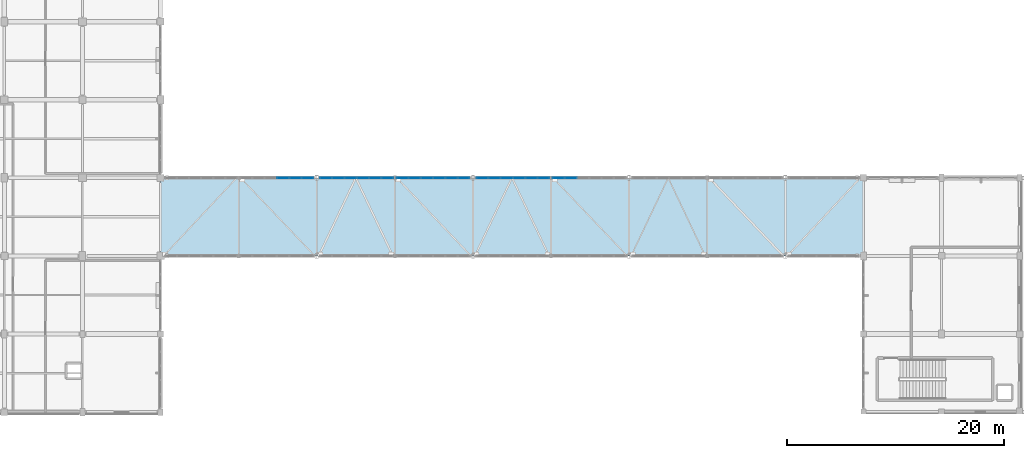
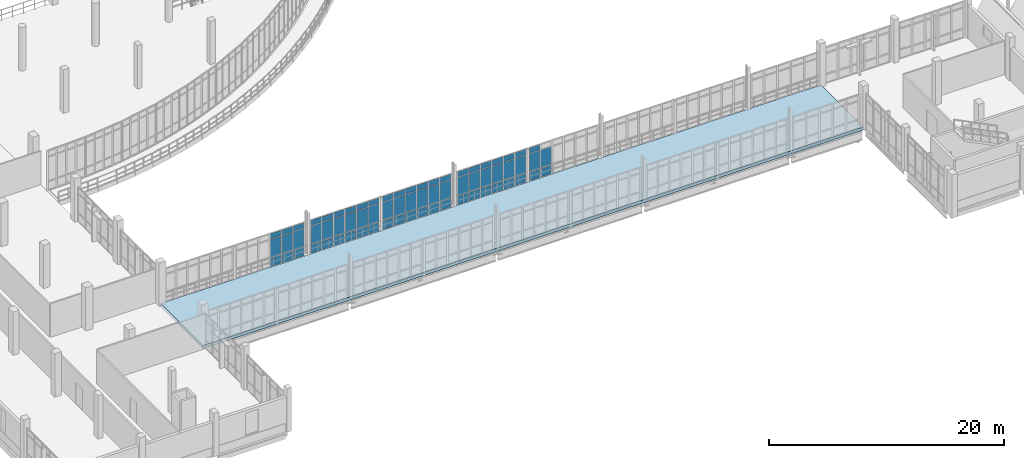
# One storey, part 90 of 124: 68 plates, 1 slab, 5 elements without a shape of their own.
"""IFC4 building model written with IfcOpenShell, lengths in metres."""

from ifc_helpers import new_model, si_unit, direction, frame, origin, origin_2d, place, context, subcontext, project, spatial, polyline, rectangle, outline, extrude, material, layer, layer_set, type_object, element, aggregate, save


model = new_model("IFC4")

# Units and contexts
model_context = context("Model", 3, precision=1e-05, world=origin(), true_north=direction((0.0, 1.0)))
body_context = subcontext(model_context, "Body", "Model", "MODEL_VIEW")
ifc_project = project(units=[si_unit("LENGTHUNIT", "METRE"), si_unit("AREAUNIT", "SQUARE_METRE"), si_unit("VOLUMEUNIT", "CUBIC_METRE"), si_unit("PLANEANGLEUNIT", "RADIAN"), si_unit("MASSUNIT", "GRAM", prefix="KILO")], contexts=[model_context])

# Site, building, storey
site_placement = place(None, origin())
site = spatial("IfcSite", under=ifc_project, at=site_placement, CompositionType="ELEMENT")
building_placement = place(site_placement, origin())
building = spatial("IfcBuilding", under=site, at=building_placement, Name="Kalluvel Institute of Natural Sciences", CompositionType="ELEMENT")
storey_placement = place(building_placement, frame((0.0, 0.0, 9.89990234375)))
storey = spatial("IfcBuildingStorey", under=building, at=storey_placement, Name="L02", CompositionType="ELEMENT", Elevation=9.89990234375)

# Curtain wall, plates
ifc_material_1 = material(Name="Aluminium AW-6063 T6", Category="aluminium")
curtain_wall_type = type_object("IfcCurtainWallType", Name="CW-BRG-45", PredefinedType="USERDEFINED", material=ifc_material_1)
curtain_wall_1_placement = place(storey_placement, origin())
curtain_wall_1 = element("IfcCurtainWall", 1, at=curtain_wall_1_placement, inside=storey, type_object=curtain_wall_type, Name="L02 Gothic lancet curtain wall CWA-L02-X429-Y356", ObjectType="UNITISED LANCET FACADE", PredefinedType="USERDEFINED")
ifc_material_2 = material(Name="Solar-Control Low-E Laminated Glass", Category="glass")
ifc_layer_1 = layer(ifc_material_2, 0.031982421875)
ifc_layer_set_1 = layer_set([ifc_layer_1], Name="Solar-Control Low-E Laminated Glass")
plate_type = type_object("IfcPlateType", Name="CWP-DGU-32", PredefinedType="CURTAIN_PANEL", material=ifc_layer_set_1)
plate_1_placement = place(storey_placement, frame((46.885498046875, 35.60009765625, 0.06005859375), z_axis=(0.0, 0.0, 1.0), x_axis=(1.0, 0.0, 0.0)))
plate_1 = element("IfcPlate", 2, at=plate_1_placement, type_object=plate_type, Name="CW-07 panel 4.1", PredefinedType="CURTAIN_PANEL", context=body_context, shape_type="SweptSolid", body=[
    extrude(rectangle(XDim=1.075927734375, YDim=0.031982421875, at=origin_2d()), origin(), (0.0, 0.0, 1.0), 0.860107421875),
])
plate_2_placement = place(storey_placement, frame((46.885498046875, 35.60009765625, 0.980224609375), z_axis=(0.0, 0.0, 1.0), x_axis=(1.0, 0.0, 0.0)))
plate_2 = element("IfcPlate", 3, at=plate_2_placement, type_object=plate_type, Name="CW-07 panel 4.2", PredefinedType="CURTAIN_PANEL", context=body_context, shape_type="SweptSolid", body=[
    extrude(rectangle(XDim=1.075927734375, YDim=0.031982421875, at=origin_2d()), origin(), (0.0, 0.0, 1.0), 1.8798828125),
])
plate_3_placement = place(storey_placement, frame((46.885498046875, 35.60009765625, 2.920166015625), z_axis=(0.0, 0.0, 1.0), x_axis=(1.0, 0.0, 0.0)))
plate_3 = element("IfcPlate", 4, at=plate_3_placement, type_object=plate_type, Name="CW-07 panel 4.3", PredefinedType="CURTAIN_PANEL", context=body_context, shape_type="SweptSolid", body=[
    extrude(rectangle(XDim=1.075927734375, YDim=0.031982421875, at=origin_2d()), origin(), (0.0, 0.0, 1.0), 0.56005859375),
])
plate_4_placement = place(storey_placement, frame((48.021240234375, 35.60009765625, 0.06005859375), z_axis=(0.0, 0.0, 1.0), x_axis=(1.0, 0.0, 0.0)))
plate_4 = element("IfcPlate", 5, at=plate_4_placement, type_object=plate_type, Name="CW-07 panel 5.1", PredefinedType="CURTAIN_PANEL", context=body_context, shape_type="SweptSolid", body=[
    extrude(rectangle(XDim=1.075927734375, YDim=0.031982421875, at=origin_2d()), origin(), (0.0, 0.0, 1.0), 0.860107421875),
])
plate_5_placement = place(storey_placement, frame((48.021240234375, 35.60009765625, 0.980224609375), z_axis=(0.0, 0.0, 1.0), x_axis=(1.0, 0.0, 0.0)))
plate_5 = element("IfcPlate", 6, at=plate_5_placement, type_object=plate_type, Name="CW-07 panel 5.2", PredefinedType="CURTAIN_PANEL", context=body_context, shape_type="SweptSolid", body=[
    extrude(rectangle(XDim=1.075927734375, YDim=0.031982421875, at=origin_2d()), origin(), (0.0, 0.0, 1.0), 1.8798828125),
])
plate_6_placement = place(storey_placement, frame((48.021240234375, 35.60009765625, 2.920166015625), z_axis=(0.0, 0.0, 1.0), x_axis=(1.0, 0.0, 0.0)))
plate_6 = element("IfcPlate", 7, at=plate_6_placement, type_object=plate_type, Name="CW-07 panel 5.3", PredefinedType="CURTAIN_PANEL", context=body_context, shape_type="SweptSolid", body=[
    extrude(rectangle(XDim=1.075927734375, YDim=0.031982421875, at=origin_2d()), origin(), (0.0, 0.0, 1.0), 0.56005859375),
])
plate_7_placement = place(storey_placement, frame((49.14208984375, 35.60009765625, 0.06005859375), z_axis=(0.0, 0.0, 1.0), x_axis=(1.0, 0.0, 0.0)))
plate_7 = element("IfcPlate", 8, at=plate_7_placement, type_object=plate_type, Name="CW-07 panel 6.1", PredefinedType="CURTAIN_PANEL", context=body_context, shape_type="SweptSolid", body=[
    extrude(rectangle(XDim=1.0458984375, YDim=0.031982421875, at=origin_2d()), origin(), (0.0, 0.0, 1.0), 0.860107421875),
])
plate_8_placement = place(storey_placement, frame((49.14208984375, 35.60009765625, 0.980224609375), z_axis=(0.0, 0.0, 1.0), x_axis=(1.0, 0.0, 0.0)))
plate_8 = element("IfcPlate", 9, at=plate_8_placement, type_object=plate_type, Name="CW-07 panel 6.2", PredefinedType="CURTAIN_PANEL", context=body_context, shape_type="SweptSolid", body=[
    extrude(rectangle(XDim=1.0458984375, YDim=0.031982421875, at=origin_2d()), origin(), (0.0, 0.0, 1.0), 1.8798828125),
])
plate_9_placement = place(storey_placement, frame((49.14208984375, 35.60009765625, 2.920166015625), z_axis=(0.0, 0.0, 1.0), x_axis=(1.0, 0.0, 0.0)))
plate_9 = element("IfcPlate", 10, at=plate_9_placement, type_object=plate_type, Name="CW-07 panel 6.3", PredefinedType="CURTAIN_PANEL", context=body_context, shape_type="SweptSolid", body=[
    extrude(rectangle(XDim=1.0458984375, YDim=0.031982421875, at=origin_2d()), origin(), (0.0, 0.0, 1.0), 0.56005859375),
])
aggregate(curtain_wall_1, [plate_1, plate_2, plate_3, plate_4, plate_5, plate_6, plate_7, plate_8, plate_9])

curtain_wall_2_placement = place(storey_placement, origin())
curtain_wall_2 = element("IfcCurtainWall", 11, at=curtain_wall_2_placement, inside=storey, type_object=curtain_wall_type, Name="L02 Gothic lancet curtain wall CWA-L02-X503-Y356", ObjectType="UNITISED LANCET FACADE", PredefinedType="USERDEFINED")
plate_10_placement = place(storey_placement, frame((50.85791015625, 35.60009765625, 0.06005859375), z_axis=(0.0, 0.0, 1.0), x_axis=(1.0, 0.0, 0.0)))
plate_10 = element("IfcPlate", 12, at=plate_10_placement, type_object=plate_type, Name="CW-07 panel 1.1", PredefinedType="CURTAIN_PANEL", context=body_context, shape_type="SweptSolid", body=[
    extrude(rectangle(XDim=1.0458984375, YDim=0.031982421875, at=origin_2d()), origin(), (0.0, 0.0, 1.0), 0.860107421875),
])
plate_11_placement = place(storey_placement, frame((50.85791015625, 35.60009765625, 0.980224609375), z_axis=(0.0, 0.0, 1.0), x_axis=(1.0, 0.0, 0.0)))
plate_11 = element("IfcPlate", 13, at=plate_11_placement, type_object=plate_type, Name="CW-07 panel 1.2", PredefinedType="CURTAIN_PANEL", context=body_context, shape_type="SweptSolid", body=[
    extrude(rectangle(XDim=1.0458984375, YDim=0.031982421875, at=origin_2d()), origin(), (0.0, 0.0, 1.0), 1.8798828125),
])
plate_12_placement = place(storey_placement, frame((50.85791015625, 35.60009765625, 2.920166015625), z_axis=(0.0, 0.0, 1.0), x_axis=(1.0, 0.0, 0.0)))
plate_12 = element("IfcPlate", 14, at=plate_12_placement, type_object=plate_type, Name="CW-07 panel 1.3", PredefinedType="CURTAIN_PANEL", context=body_context, shape_type="SweptSolid", body=[
    extrude(rectangle(XDim=1.0458984375, YDim=0.031982421875, at=origin_2d()), origin(), (0.0, 0.0, 1.0), 0.56005859375),
])
plate_13_placement = place(storey_placement, frame((51.978759765625, 35.60009765625, 0.06005859375), z_axis=(0.0, 0.0, 1.0), x_axis=(1.0, 0.0, 0.0)))
plate_13 = element("IfcPlate", 15, at=plate_13_placement, type_object=plate_type, Name="CW-07 panel 2.1", PredefinedType="CURTAIN_PANEL", context=body_context, shape_type="SweptSolid", body=[
    extrude(rectangle(XDim=1.075927734375, YDim=0.031982421875, at=origin_2d()), origin(), (0.0, 0.0, 1.0), 0.860107421875),
])
plate_14_placement = place(storey_placement, frame((51.978759765625, 35.60009765625, 0.980224609375), z_axis=(0.0, 0.0, 1.0), x_axis=(1.0, 0.0, 0.0)))
plate_14 = element("IfcPlate", 16, at=plate_14_placement, type_object=plate_type, Name="CW-07 panel 2.2", PredefinedType="CURTAIN_PANEL", context=body_context, shape_type="SweptSolid", body=[
    extrude(rectangle(XDim=1.075927734375, YDim=0.031982421875, at=origin_2d()), origin(), (0.0, 0.0, 1.0), 1.8798828125),
])
plate_15_placement = place(storey_placement, frame((51.978759765625, 35.60009765625, 2.920166015625), z_axis=(0.0, 0.0, 1.0), x_axis=(1.0, 0.0, 0.0)))
plate_15 = element("IfcPlate", 17, at=plate_15_placement, type_object=plate_type, Name="CW-07 panel 2.3", PredefinedType="CURTAIN_PANEL", context=body_context, shape_type="SweptSolid", body=[
    extrude(rectangle(XDim=1.075927734375, YDim=0.031982421875, at=origin_2d()), origin(), (0.0, 0.0, 1.0), 0.56005859375),
])
plate_16_placement = place(storey_placement, frame((53.114501953125, 35.60009765625, 0.06005859375), z_axis=(0.0, 0.0, 1.0), x_axis=(1.0, 0.0, 0.0)))
plate_16 = element("IfcPlate", 18, at=plate_16_placement, type_object=plate_type, Name="CW-07 panel 3.1", PredefinedType="CURTAIN_PANEL", context=body_context, shape_type="SweptSolid", body=[
    extrude(rectangle(XDim=1.075927734375, YDim=0.031982421875, at=origin_2d()), origin(), (0.0, 0.0, 1.0), 0.860107421875),
])
plate_17_placement = place(storey_placement, frame((53.114501953125, 35.60009765625, 0.980224609375), z_axis=(0.0, 0.0, 1.0), x_axis=(1.0, 0.0, 0.0)))
plate_17 = element("IfcPlate", 19, at=plate_17_placement, type_object=plate_type, Name="CW-07 panel 3.2", PredefinedType="CURTAIN_PANEL", context=body_context, shape_type="SweptSolid", body=[
    extrude(rectangle(XDim=1.075927734375, YDim=0.031982421875, at=origin_2d()), origin(), (0.0, 0.0, 1.0), 1.8798828125),
])
plate_18_placement = place(storey_placement, frame((53.114501953125, 35.60009765625, 2.920166015625), z_axis=(0.0, 0.0, 1.0), x_axis=(1.0, 0.0, 0.0)))
plate_18 = element("IfcPlate", 20, at=plate_18_placement, type_object=plate_type, Name="CW-07 panel 3.3", PredefinedType="CURTAIN_PANEL", context=body_context, shape_type="SweptSolid", body=[
    extrude(rectangle(XDim=1.075927734375, YDim=0.031982421875, at=origin_2d()), origin(), (0.0, 0.0, 1.0), 0.56005859375),
])
plate_19_placement = place(storey_placement, frame((54.25048828125, 35.60009765625, 0.06005859375), z_axis=(0.0, 0.0, 1.0), x_axis=(1.0, 0.0, 0.0)))
plate_19 = element("IfcPlate", 21, at=plate_19_placement, type_object=plate_type, Name="CW-07 panel 4.1", PredefinedType="CURTAIN_PANEL", context=body_context, shape_type="SweptSolid", body=[
    extrude(rectangle(XDim=1.075927734375, YDim=0.031982421875, at=origin_2d()), origin(), (0.0, 0.0, 1.0), 0.860107421875),
])
plate_20_placement = place(storey_placement, frame((54.25048828125, 35.60009765625, 0.980224609375), z_axis=(0.0, 0.0, 1.0), x_axis=(1.0, 0.0, 0.0)))
plate_20 = element("IfcPlate", 22, at=plate_20_placement, type_object=plate_type, Name="CW-07 panel 4.2", PredefinedType="CURTAIN_PANEL", context=body_context, shape_type="SweptSolid", body=[
    extrude(rectangle(XDim=1.075927734375, YDim=0.031982421875, at=origin_2d()), origin(), (0.0, 0.0, 1.0), 1.8798828125),
])
plate_21_placement = place(storey_placement, frame((54.25048828125, 35.60009765625, 2.920166015625), z_axis=(0.0, 0.0, 1.0), x_axis=(1.0, 0.0, 0.0)))
plate_21 = element("IfcPlate", 23, at=plate_21_placement, type_object=plate_type, Name="CW-07 panel 4.3", PredefinedType="CURTAIN_PANEL", context=body_context, shape_type="SweptSolid", body=[
    extrude(rectangle(XDim=1.075927734375, YDim=0.031982421875, at=origin_2d()), origin(), (0.0, 0.0, 1.0), 0.56005859375),
])
plate_22_placement = place(storey_placement, frame((55.38623046875, 35.60009765625, 0.06005859375), z_axis=(0.0, 0.0, 1.0), x_axis=(1.0, 0.0, 0.0)))
plate_22 = element("IfcPlate", 24, at=plate_22_placement, type_object=plate_type, Name="CW-07 panel 5.1", PredefinedType="CURTAIN_PANEL", context=body_context, shape_type="SweptSolid", body=[
    extrude(rectangle(XDim=1.075927734375, YDim=0.031982421875, at=origin_2d()), origin(), (0.0, 0.0, 1.0), 0.860107421875),
])
plate_23_placement = place(storey_placement, frame((55.38623046875, 35.60009765625, 0.980224609375), z_axis=(0.0, 0.0, 1.0), x_axis=(1.0, 0.0, 0.0)))
plate_23 = element("IfcPlate", 25, at=plate_23_placement, type_object=plate_type, Name="CW-07 panel 5.2", PredefinedType="CURTAIN_PANEL", context=body_context, shape_type="SweptSolid", body=[
    extrude(rectangle(XDim=1.075927734375, YDim=0.031982421875, at=origin_2d()), origin(), (0.0, 0.0, 1.0), 1.8798828125),
])
plate_24_placement = place(storey_placement, frame((55.38623046875, 35.60009765625, 2.920166015625), z_axis=(0.0, 0.0, 1.0), x_axis=(1.0, 0.0, 0.0)))
plate_24 = element("IfcPlate", 26, at=plate_24_placement, type_object=plate_type, Name="CW-07 panel 5.3", PredefinedType="CURTAIN_PANEL", context=body_context, shape_type="SweptSolid", body=[
    extrude(rectangle(XDim=1.075927734375, YDim=0.031982421875, at=origin_2d()), origin(), (0.0, 0.0, 1.0), 0.56005859375),
])
plate_25_placement = place(storey_placement, frame((56.507080078125, 35.60009765625, 0.06005859375), z_axis=(0.0, 0.0, 1.0), x_axis=(1.0, 0.0, 0.0)))
plate_25 = element("IfcPlate", 27, at=plate_25_placement, type_object=plate_type, Name="CW-07 panel 6.1", PredefinedType="CURTAIN_PANEL", context=body_context, shape_type="SweptSolid", body=[
    extrude(rectangle(XDim=1.0458984375, YDim=0.031982421875, at=origin_2d()), origin(), (0.0, 0.0, 1.0), 0.860107421875),
])
plate_26_placement = place(storey_placement, frame((56.507080078125, 35.60009765625, 0.980224609375), z_axis=(0.0, 0.0, 1.0), x_axis=(1.0, 0.0, 0.0)))
plate_26 = element("IfcPlate", 28, at=plate_26_placement, type_object=plate_type, Name="CW-07 panel 6.2", PredefinedType="CURTAIN_PANEL", context=body_context, shape_type="SweptSolid", body=[
    extrude(rectangle(XDim=1.0458984375, YDim=0.031982421875, at=origin_2d()), origin(), (0.0, 0.0, 1.0), 1.8798828125),
])
plate_27_placement = place(storey_placement, frame((56.507080078125, 35.60009765625, 2.920166015625), z_axis=(0.0, 0.0, 1.0), x_axis=(1.0, 0.0, 0.0)))
plate_27 = element("IfcPlate", 29, at=plate_27_placement, type_object=plate_type, Name="CW-07 panel 6.3", PredefinedType="CURTAIN_PANEL", context=body_context, shape_type="SweptSolid", body=[
    extrude(rectangle(XDim=1.0458984375, YDim=0.031982421875, at=origin_2d()), origin(), (0.0, 0.0, 1.0), 0.56005859375),
])
aggregate(curtain_wall_2, [plate_10, plate_11, plate_12, plate_13, plate_14, plate_15, plate_16, plate_17, plate_18, plate_19, plate_20, plate_21, plate_22, plate_23, plate_24, plate_25, plate_26, plate_27])

curtain_wall_3_placement = place(storey_placement, origin())
curtain_wall_3 = element("IfcCurtainWall", 30, at=curtain_wall_3_placement, inside=storey, type_object=curtain_wall_type, Name="L02 Gothic lancet curtain wall CWA-L02-X573-Y356", ObjectType="UNITISED LANCET FACADE", PredefinedType="USERDEFINED")
plate_28_placement = place(storey_placement, frame((57.892822265625, 35.60009765625, 0.06005859375), z_axis=(0.0, 0.0, 1.0), x_axis=(1.0, 0.0, 0.0)))
plate_28 = element("IfcPlate", 31, at=plate_28_placement, type_object=plate_type, Name="CW-07 panel 1.1", PredefinedType="CURTAIN_PANEL", context=body_context, shape_type="SweptSolid", body=[
    extrude(rectangle(XDim=1.0458984375, YDim=0.031982421875, at=origin_2d()), origin(), (0.0, 0.0, 1.0), 0.860107421875),
])
plate_29_placement = place(storey_placement, frame((57.892822265625, 35.60009765625, 0.980224609375), z_axis=(0.0, 0.0, 1.0), x_axis=(1.0, 0.0, 0.0)))
plate_29 = element("IfcPlate", 32, at=plate_29_placement, type_object=plate_type, Name="CW-07 panel 1.2", PredefinedType="CURTAIN_PANEL", context=body_context, shape_type="SweptSolid", body=[
    extrude(rectangle(XDim=1.0458984375, YDim=0.031982421875, at=origin_2d()), origin(), (0.0, 0.0, 1.0), 1.8798828125),
])
plate_30_placement = place(storey_placement, frame((57.892822265625, 35.60009765625, 2.920166015625), z_axis=(0.0, 0.0, 1.0), x_axis=(1.0, 0.0, 0.0)))
plate_30 = element("IfcPlate", 33, at=plate_30_placement, type_object=plate_type, Name="CW-07 panel 1.3", PredefinedType="CURTAIN_PANEL", context=body_context, shape_type="SweptSolid", body=[
    extrude(rectangle(XDim=1.0458984375, YDim=0.031982421875, at=origin_2d()), origin(), (0.0, 0.0, 1.0), 0.56005859375),
])
plate_31_placement = place(storey_placement, frame((59.013671875, 35.60009765625, 0.06005859375), z_axis=(0.0, 0.0, 1.0), x_axis=(1.0, 0.0, 0.0)))
plate_31 = element("IfcPlate", 34, at=plate_31_placement, type_object=plate_type, Name="CW-07 panel 2.1", PredefinedType="CURTAIN_PANEL", context=body_context, shape_type="SweptSolid", body=[
    extrude(rectangle(XDim=1.075927734375, YDim=0.031982421875, at=origin_2d()), origin(), (0.0, 0.0, 1.0), 0.860107421875),
])
plate_32_placement = place(storey_placement, frame((59.013671875, 35.60009765625, 0.980224609375), z_axis=(0.0, 0.0, 1.0), x_axis=(1.0, 0.0, 0.0)))
plate_32 = element("IfcPlate", 35, at=plate_32_placement, type_object=plate_type, Name="CW-07 panel 2.2", PredefinedType="CURTAIN_PANEL", context=body_context, shape_type="SweptSolid", body=[
    extrude(rectangle(XDim=1.075927734375, YDim=0.031982421875, at=origin_2d()), origin(), (0.0, 0.0, 1.0), 1.8798828125),
])
plate_33_placement = place(storey_placement, frame((59.013671875, 35.60009765625, 2.920166015625), z_axis=(0.0, 0.0, 1.0), x_axis=(1.0, 0.0, 0.0)))
plate_33 = element("IfcPlate", 36, at=plate_33_placement, type_object=plate_type, Name="CW-07 panel 2.3", PredefinedType="CURTAIN_PANEL", context=body_context, shape_type="SweptSolid", body=[
    extrude(rectangle(XDim=1.075927734375, YDim=0.031982421875, at=origin_2d()), origin(), (0.0, 0.0, 1.0), 0.56005859375),
])
plate_34_placement = place(storey_placement, frame((60.149658203125, 35.60009765625, 0.06005859375), z_axis=(0.0, 0.0, 1.0), x_axis=(1.0, 0.0, 0.0)))
plate_34 = element("IfcPlate", 37, at=plate_34_placement, type_object=plate_type, Name="CW-07 panel 3.1", PredefinedType="CURTAIN_PANEL", context=body_context, shape_type="SweptSolid", body=[
    extrude(rectangle(XDim=1.075927734375, YDim=0.031982421875, at=origin_2d()), origin(), (0.0, 0.0, 1.0), 0.860107421875),
])
plate_35_placement = place(storey_placement, frame((60.149658203125, 35.60009765625, 0.980224609375), z_axis=(0.0, 0.0, 1.0), x_axis=(1.0, 0.0, 0.0)))
plate_35 = element("IfcPlate", 38, at=plate_35_placement, type_object=plate_type, Name="CW-07 panel 3.2", PredefinedType="CURTAIN_PANEL", context=body_context, shape_type="SweptSolid", body=[
    extrude(rectangle(XDim=1.075927734375, YDim=0.031982421875, at=origin_2d()), origin(), (0.0, 0.0, 1.0), 1.8798828125),
])
plate_36_placement = place(storey_placement, frame((60.149658203125, 35.60009765625, 2.920166015625), z_axis=(0.0, 0.0, 1.0), x_axis=(1.0, 0.0, 0.0)))
plate_36 = element("IfcPlate", 39, at=plate_36_placement, type_object=plate_type, Name="CW-07 panel 3.3", PredefinedType="CURTAIN_PANEL", context=body_context, shape_type="SweptSolid", body=[
    extrude(rectangle(XDim=1.075927734375, YDim=0.031982421875, at=origin_2d()), origin(), (0.0, 0.0, 1.0), 0.56005859375),
])
plate_37_placement = place(storey_placement, frame((61.285400390625, 35.60009765625, 0.06005859375), z_axis=(0.0, 0.0, 1.0), x_axis=(1.0, 0.0, 0.0)))
plate_37 = element("IfcPlate", 40, at=plate_37_placement, type_object=plate_type, Name="CW-07 panel 4.1", PredefinedType="CURTAIN_PANEL", context=body_context, shape_type="SweptSolid", body=[
    extrude(rectangle(XDim=1.075927734375, YDim=0.031982421875, at=origin_2d()), origin(), (0.0, 0.0, 1.0), 0.860107421875),
])
plate_38_placement = place(storey_placement, frame((61.285400390625, 35.60009765625, 0.980224609375), z_axis=(0.0, 0.0, 1.0), x_axis=(1.0, 0.0, 0.0)))
plate_38 = element("IfcPlate", 41, at=plate_38_placement, type_object=plate_type, Name="CW-07 panel 4.2", PredefinedType="CURTAIN_PANEL", context=body_context, shape_type="SweptSolid", body=[
    extrude(rectangle(XDim=1.075927734375, YDim=0.031982421875, at=origin_2d()), origin(), (0.0, 0.0, 1.0), 1.8798828125),
])
plate_39_placement = place(storey_placement, frame((61.285400390625, 35.60009765625, 2.920166015625), z_axis=(0.0, 0.0, 1.0), x_axis=(1.0, 0.0, 0.0)))
plate_39 = element("IfcPlate", 42, at=plate_39_placement, type_object=plate_type, Name="CW-07 panel 4.3", PredefinedType="CURTAIN_PANEL", context=body_context, shape_type="SweptSolid", body=[
    extrude(rectangle(XDim=1.075927734375, YDim=0.031982421875, at=origin_2d()), origin(), (0.0, 0.0, 1.0), 0.56005859375),
])
plate_40_placement = place(storey_placement, frame((62.421142578125, 35.60009765625, 0.06005859375), z_axis=(0.0, 0.0, 1.0), x_axis=(1.0, 0.0, 0.0)))
plate_40 = element("IfcPlate", 43, at=plate_40_placement, type_object=plate_type, Name="CW-07 panel 5.1", PredefinedType="CURTAIN_PANEL", context=body_context, shape_type="SweptSolid", body=[
    extrude(rectangle(XDim=1.075927734375, YDim=0.031982421875, at=origin_2d()), origin(), (0.0, 0.0, 1.0), 0.860107421875),
])
plate_41_placement = place(storey_placement, frame((62.421142578125, 35.60009765625, 0.980224609375), z_axis=(0.0, 0.0, 1.0), x_axis=(1.0, 0.0, 0.0)))
plate_41 = element("IfcPlate", 44, at=plate_41_placement, type_object=plate_type, Name="CW-07 panel 5.2", PredefinedType="CURTAIN_PANEL", context=body_context, shape_type="SweptSolid", body=[
    extrude(rectangle(XDim=1.075927734375, YDim=0.031982421875, at=origin_2d()), origin(), (0.0, 0.0, 1.0), 1.8798828125),
])
plate_42_placement = place(storey_placement, frame((62.421142578125, 35.60009765625, 2.920166015625), z_axis=(0.0, 0.0, 1.0), x_axis=(1.0, 0.0, 0.0)))
plate_42 = element("IfcPlate", 45, at=plate_42_placement, type_object=plate_type, Name="CW-07 panel 5.3", PredefinedType="CURTAIN_PANEL", context=body_context, shape_type="SweptSolid", body=[
    extrude(rectangle(XDim=1.075927734375, YDim=0.031982421875, at=origin_2d()), origin(), (0.0, 0.0, 1.0), 0.56005859375),
])
plate_43_placement = place(storey_placement, frame((63.5419921875, 35.60009765625, 0.06005859375), z_axis=(0.0, 0.0, 1.0), x_axis=(1.0, 0.0, 0.0)))
plate_43 = element("IfcPlate", 46, at=plate_43_placement, type_object=plate_type, Name="CW-07 panel 6.1", PredefinedType="CURTAIN_PANEL", context=body_context, shape_type="SweptSolid", body=[
    extrude(rectangle(XDim=1.0458984375, YDim=0.031982421875, at=origin_2d()), origin(), (0.0, 0.0, 1.0), 0.860107421875),
])
plate_44_placement = place(storey_placement, frame((63.5419921875, 35.60009765625, 0.980224609375), z_axis=(0.0, 0.0, 1.0), x_axis=(1.0, 0.0, 0.0)))
plate_44 = element("IfcPlate", 47, at=plate_44_placement, type_object=plate_type, Name="CW-07 panel 6.2", PredefinedType="CURTAIN_PANEL", context=body_context, shape_type="SweptSolid", body=[
    extrude(rectangle(XDim=1.0458984375, YDim=0.031982421875, at=origin_2d()), origin(), (0.0, 0.0, 1.0), 1.8798828125),
])
plate_45_placement = place(storey_placement, frame((63.5419921875, 35.60009765625, 2.920166015625), z_axis=(0.0, 0.0, 1.0), x_axis=(1.0, 0.0, 0.0)))
plate_45 = element("IfcPlate", 48, at=plate_45_placement, type_object=plate_type, Name="CW-07 panel 6.3", PredefinedType="CURTAIN_PANEL", context=body_context, shape_type="SweptSolid", body=[
    extrude(rectangle(XDim=1.0458984375, YDim=0.031982421875, at=origin_2d()), origin(), (0.0, 0.0, 1.0), 0.56005859375),
])
aggregate(curtain_wall_3, [plate_28, plate_29, plate_30, plate_31, plate_32, plate_33, plate_34, plate_35, plate_36, plate_37, plate_38, plate_39, plate_40, plate_41, plate_42, plate_43, plate_44, plate_45])

curtain_wall_4_placement = place(storey_placement, origin())
curtain_wall_4 = element("IfcCurtainWall", 49, at=curtain_wall_4_placement, inside=storey, type_object=curtain_wall_type, Name="L02 Gothic lancet curtain wall CWA-L02-X647-Y356", ObjectType="UNITISED LANCET FACADE", PredefinedType="USERDEFINED")
plate_46_placement = place(storey_placement, frame((65.2578125, 35.60009765625, 0.06005859375), z_axis=(0.0, 0.0, 1.0), x_axis=(1.0, 0.0, 0.0)))
plate_46 = element("IfcPlate", 50, at=plate_46_placement, type_object=plate_type, Name="CW-07 panel 1.1", PredefinedType="CURTAIN_PANEL", context=body_context, shape_type="SweptSolid", body=[
    extrude(rectangle(XDim=1.0458984375, YDim=0.031982421875, at=origin_2d()), origin(), (0.0, 0.0, 1.0), 0.860107421875),
])
plate_47_placement = place(storey_placement, frame((65.2578125, 35.60009765625, 0.980224609375), z_axis=(0.0, 0.0, 1.0), x_axis=(1.0, 0.0, 0.0)))
plate_47 = element("IfcPlate", 51, at=plate_47_placement, type_object=plate_type, Name="CW-07 panel 1.2", PredefinedType="CURTAIN_PANEL", context=body_context, shape_type="SweptSolid", body=[
    extrude(rectangle(XDim=1.0458984375, YDim=0.031982421875, at=origin_2d()), origin(), (0.0, 0.0, 1.0), 1.8798828125),
])
plate_48_placement = place(storey_placement, frame((65.2578125, 35.60009765625, 2.920166015625), z_axis=(0.0, 0.0, 1.0), x_axis=(1.0, 0.0, 0.0)))
plate_48 = element("IfcPlate", 52, at=plate_48_placement, type_object=plate_type, Name="CW-07 panel 1.3", PredefinedType="CURTAIN_PANEL", context=body_context, shape_type="SweptSolid", body=[
    extrude(rectangle(XDim=1.0458984375, YDim=0.031982421875, at=origin_2d()), origin(), (0.0, 0.0, 1.0), 0.56005859375),
])
plate_49_placement = place(storey_placement, frame((66.378662109375, 35.60009765625, 0.06005859375), z_axis=(0.0, 0.0, 1.0), x_axis=(1.0, 0.0, 0.0)))
plate_49 = element("IfcPlate", 53, at=plate_49_placement, type_object=plate_type, Name="CW-07 panel 2.1", PredefinedType="CURTAIN_PANEL", context=body_context, shape_type="SweptSolid", body=[
    extrude(rectangle(XDim=1.075927734375, YDim=0.031982421875, at=origin_2d()), origin(), (0.0, 0.0, 1.0), 0.860107421875),
])
plate_50_placement = place(storey_placement, frame((66.378662109375, 35.60009765625, 0.980224609375), z_axis=(0.0, 0.0, 1.0), x_axis=(1.0, 0.0, 0.0)))
plate_50 = element("IfcPlate", 54, at=plate_50_placement, type_object=plate_type, Name="CW-07 panel 2.2", PredefinedType="CURTAIN_PANEL", context=body_context, shape_type="SweptSolid", body=[
    extrude(rectangle(XDim=1.075927734375, YDim=0.031982421875, at=origin_2d()), origin(), (0.0, 0.0, 1.0), 1.8798828125),
])
plate_51_placement = place(storey_placement, frame((66.378662109375, 35.60009765625, 2.920166015625), z_axis=(0.0, 0.0, 1.0), x_axis=(1.0, 0.0, 0.0)))
plate_51 = element("IfcPlate", 55, at=plate_51_placement, type_object=plate_type, Name="CW-07 panel 2.3", PredefinedType="CURTAIN_PANEL", context=body_context, shape_type="SweptSolid", body=[
    extrude(rectangle(XDim=1.075927734375, YDim=0.031982421875, at=origin_2d()), origin(), (0.0, 0.0, 1.0), 0.56005859375),
])
plate_52_placement = place(storey_placement, frame((67.5146484375, 35.60009765625, 0.06005859375), z_axis=(0.0, 0.0, 1.0), x_axis=(1.0, 0.0, 0.0)))
plate_52 = element("IfcPlate", 56, at=plate_52_placement, type_object=plate_type, Name="CW-07 panel 3.1", PredefinedType="CURTAIN_PANEL", context=body_context, shape_type="SweptSolid", body=[
    extrude(rectangle(XDim=1.075927734375, YDim=0.031982421875, at=origin_2d()), origin(), (0.0, 0.0, 1.0), 0.860107421875),
])
plate_53_placement = place(storey_placement, frame((67.5146484375, 35.60009765625, 0.980224609375), z_axis=(0.0, 0.0, 1.0), x_axis=(1.0, 0.0, 0.0)))
plate_53 = element("IfcPlate", 57, at=plate_53_placement, type_object=plate_type, Name="CW-07 panel 3.2", PredefinedType="CURTAIN_PANEL", context=body_context, shape_type="SweptSolid", body=[
    extrude(rectangle(XDim=1.075927734375, YDim=0.031982421875, at=origin_2d()), origin(), (0.0, 0.0, 1.0), 1.8798828125),
])
plate_54_placement = place(storey_placement, frame((67.5146484375, 35.60009765625, 2.920166015625), z_axis=(0.0, 0.0, 1.0), x_axis=(1.0, 0.0, 0.0)))
plate_54 = element("IfcPlate", 58, at=plate_54_placement, type_object=plate_type, Name="CW-07 panel 3.3", PredefinedType="CURTAIN_PANEL", context=body_context, shape_type="SweptSolid", body=[
    extrude(rectangle(XDim=1.075927734375, YDim=0.031982421875, at=origin_2d()), origin(), (0.0, 0.0, 1.0), 0.56005859375),
])
plate_55_placement = place(storey_placement, frame((68.650390625, 35.60009765625, 0.06005859375), z_axis=(0.0, 0.0, 1.0), x_axis=(1.0, 0.0, 0.0)))
plate_55 = element("IfcPlate", 59, at=plate_55_placement, type_object=plate_type, Name="CW-07 panel 4.1", PredefinedType="CURTAIN_PANEL", context=body_context, shape_type="SweptSolid", body=[
    extrude(rectangle(XDim=1.075927734375, YDim=0.031982421875, at=origin_2d()), origin(), (0.0, 0.0, 1.0), 0.860107421875),
])
plate_56_placement = place(storey_placement, frame((68.650390625, 35.60009765625, 0.980224609375), z_axis=(0.0, 0.0, 1.0), x_axis=(1.0, 0.0, 0.0)))
plate_56 = element("IfcPlate", 60, at=plate_56_placement, type_object=plate_type, Name="CW-07 panel 4.2", PredefinedType="CURTAIN_PANEL", context=body_context, shape_type="SweptSolid", body=[
    extrude(rectangle(XDim=1.075927734375, YDim=0.031982421875, at=origin_2d()), origin(), (0.0, 0.0, 1.0), 1.8798828125),
])
plate_57_placement = place(storey_placement, frame((68.650390625, 35.60009765625, 2.920166015625), z_axis=(0.0, 0.0, 1.0), x_axis=(1.0, 0.0, 0.0)))
plate_57 = element("IfcPlate", 61, at=plate_57_placement, type_object=plate_type, Name="CW-07 panel 4.3", PredefinedType="CURTAIN_PANEL", context=body_context, shape_type="SweptSolid", body=[
    extrude(rectangle(XDim=1.075927734375, YDim=0.031982421875, at=origin_2d()), origin(), (0.0, 0.0, 1.0), 0.56005859375),
])
plate_58_placement = place(storey_placement, frame((69.7861328125, 35.60009765625, 0.06005859375), z_axis=(0.0, 0.0, 1.0), x_axis=(1.0, 0.0, 0.0)))
plate_58 = element("IfcPlate", 62, at=plate_58_placement, type_object=plate_type, Name="CW-07 panel 5.1", PredefinedType="CURTAIN_PANEL", context=body_context, shape_type="SweptSolid", body=[
    extrude(rectangle(XDim=1.075927734375, YDim=0.031982421875, at=origin_2d()), origin(), (0.0, 0.0, 1.0), 0.860107421875),
])
plate_59_placement = place(storey_placement, frame((69.7861328125, 35.60009765625, 0.980224609375), z_axis=(0.0, 0.0, 1.0), x_axis=(1.0, 0.0, 0.0)))
plate_59 = element("IfcPlate", 63, at=plate_59_placement, type_object=plate_type, Name="CW-07 panel 5.2", PredefinedType="CURTAIN_PANEL", context=body_context, shape_type="SweptSolid", body=[
    extrude(rectangle(XDim=1.075927734375, YDim=0.031982421875, at=origin_2d()), origin(), (0.0, 0.0, 1.0), 1.8798828125),
])
plate_60_placement = place(storey_placement, frame((69.7861328125, 35.60009765625, 2.920166015625), z_axis=(0.0, 0.0, 1.0), x_axis=(1.0, 0.0, 0.0)))
plate_60 = element("IfcPlate", 64, at=plate_60_placement, type_object=plate_type, Name="CW-07 panel 5.3", PredefinedType="CURTAIN_PANEL", context=body_context, shape_type="SweptSolid", body=[
    extrude(rectangle(XDim=1.075927734375, YDim=0.031982421875, at=origin_2d()), origin(), (0.0, 0.0, 1.0), 0.56005859375),
])
plate_61_placement = place(storey_placement, frame((70.906982421875, 35.60009765625, 0.06005859375), z_axis=(0.0, 0.0, 1.0), x_axis=(1.0, 0.0, 0.0)))
plate_61 = element("IfcPlate", 65, at=plate_61_placement, type_object=plate_type, Name="CW-07 panel 6.1", PredefinedType="CURTAIN_PANEL", context=body_context, shape_type="SweptSolid", body=[
    extrude(rectangle(XDim=1.0458984375, YDim=0.031982421875, at=origin_2d()), origin(), (0.0, 0.0, 1.0), 0.860107421875),
])
plate_62_placement = place(storey_placement, frame((70.906982421875, 35.60009765625, 0.980224609375), z_axis=(0.0, 0.0, 1.0), x_axis=(1.0, 0.0, 0.0)))
plate_62 = element("IfcPlate", 66, at=plate_62_placement, type_object=plate_type, Name="CW-07 panel 6.2", PredefinedType="CURTAIN_PANEL", context=body_context, shape_type="SweptSolid", body=[
    extrude(rectangle(XDim=1.0458984375, YDim=0.031982421875, at=origin_2d()), origin(), (0.0, 0.0, 1.0), 1.8798828125),
])
plate_63_placement = place(storey_placement, frame((70.906982421875, 35.60009765625, 2.920166015625), z_axis=(0.0, 0.0, 1.0), x_axis=(1.0, 0.0, 0.0)))
plate_63 = element("IfcPlate", 67, at=plate_63_placement, type_object=plate_type, Name="CW-07 panel 6.3", PredefinedType="CURTAIN_PANEL", context=body_context, shape_type="SweptSolid", body=[
    extrude(rectangle(XDim=1.0458984375, YDim=0.031982421875, at=origin_2d()), origin(), (0.0, 0.0, 1.0), 0.56005859375),
])
aggregate(curtain_wall_4, [plate_46, plate_47, plate_48, plate_49, plate_50, plate_51, plate_52, plate_53, plate_54, plate_55, plate_56, plate_57, plate_58, plate_59, plate_60, plate_61, plate_62, plate_63])

curtain_wall_5_placement = place(storey_placement, origin())
curtain_wall_5 = element("IfcCurtainWall", 68, at=curtain_wall_5_placement, inside=storey, type_object=curtain_wall_type, Name="L02 Gothic lancet curtain wall CWA-L02-X717-Y356", ObjectType="UNITISED LANCET FACADE", PredefinedType="USERDEFINED")
plate_64_placement = place(storey_placement, frame((72.29296875, 35.60009765625, 0.06005859375), z_axis=(0.0, 0.0, 1.0), x_axis=(1.0, 0.0, 0.0)))
plate_64 = element("IfcPlate", 69, at=plate_64_placement, type_object=plate_type, Name="CW-07 panel 1.1", PredefinedType="CURTAIN_PANEL", context=body_context, shape_type="SweptSolid", body=[
    extrude(rectangle(XDim=1.0458984375, YDim=0.031982421875, at=origin_2d()), origin(), (0.0, 0.0, 1.0), 0.860107421875),
])
plate_65_placement = place(storey_placement, frame((72.29296875, 35.60009765625, 0.980224609375), z_axis=(0.0, 0.0, 1.0), x_axis=(1.0, 0.0, 0.0)))
plate_65 = element("IfcPlate", 70, at=plate_65_placement, type_object=plate_type, Name="CW-07 panel 1.2", PredefinedType="CURTAIN_PANEL", context=body_context, shape_type="SweptSolid", body=[
    extrude(rectangle(XDim=1.0458984375, YDim=0.031982421875, at=origin_2d()), origin(), (0.0, 0.0, 1.0), 1.8798828125),
])
plate_66_placement = place(storey_placement, frame((72.29296875, 35.60009765625, 2.920166015625), z_axis=(0.0, 0.0, 1.0), x_axis=(1.0, 0.0, 0.0)))
plate_66 = element("IfcPlate", 71, at=plate_66_placement, type_object=plate_type, Name="CW-07 panel 1.3", PredefinedType="CURTAIN_PANEL", context=body_context, shape_type="SweptSolid", body=[
    extrude(rectangle(XDim=1.0458984375, YDim=0.031982421875, at=origin_2d()), origin(), (0.0, 0.0, 1.0), 0.56005859375),
])
plate_67_placement = place(storey_placement, frame((73.413818359375, 35.60009765625, 0.06005859375), z_axis=(0.0, 0.0, 1.0), x_axis=(1.0, 0.0, 0.0)))
plate_67 = element("IfcPlate", 72, at=plate_67_placement, type_object=plate_type, Name="CW-07 panel 2.1", PredefinedType="CURTAIN_PANEL", context=body_context, shape_type="SweptSolid", body=[
    extrude(rectangle(XDim=1.075927734375, YDim=0.031982421875, at=origin_2d()), origin(), (0.0, 0.0, 1.0), 0.860107421875),
])
plate_68_placement = place(storey_placement, frame((73.413818359375, 35.60009765625, 0.980224609375), z_axis=(0.0, 0.0, 1.0), x_axis=(1.0, 0.0, 0.0)))
plate_68 = element("IfcPlate", 73, at=plate_68_placement, type_object=plate_type, Name="CW-07 panel 2.2", PredefinedType="CURTAIN_PANEL", context=body_context, shape_type="SweptSolid", body=[
    extrude(rectangle(XDim=1.075927734375, YDim=0.031982421875, at=origin_2d()), origin(), (0.0, 0.0, 1.0), 1.8798828125),
])
aggregate(curtain_wall_5, [plate_64, plate_65, plate_66, plate_67, plate_68])

# Slab
ifc_material_3 = material(Name="Concrete M40", Category="concrete")
ifc_layer_2 = layer(ifc_material_3, 0.320068359375)
ifc_layer_set_2 = layer_set([ifc_layer_2], Name="Concrete M40")
slab_type = type_object("IfcSlabType", Name="SLB-BRG-260", PredefinedType="FLOOR", material=ifc_layer_set_2)
slab_placement = place(storey_placement, frame((0.0, 0.0, -0.31982421875)))
element("IfcSlab", 74, at=slab_placement, inside=storey, type_object=slab_type, Name="L02 Open-Court Glazed Truss Link Bridge Composite Deck Slab", PredefinedType="FLOOR", context=body_context, shape_type="SweptSolid", body=[
    extrude(outline(polyline([(35.60009765625, 28.39990234375), (100.39990234375, 28.39990234375), (100.39990234375, 35.60009765625), (35.60009765625, 35.60009765625), (35.60009765625, 28.39990234375)])), origin(), (0.0, 0.0, 1.0), 0.31982421875),
])

save(model, "model.ifc")
